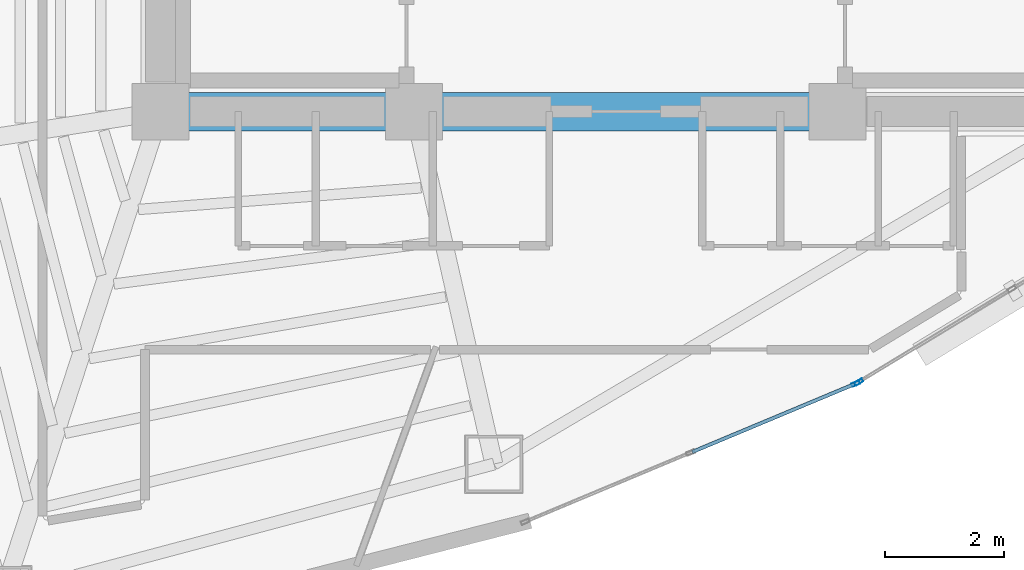
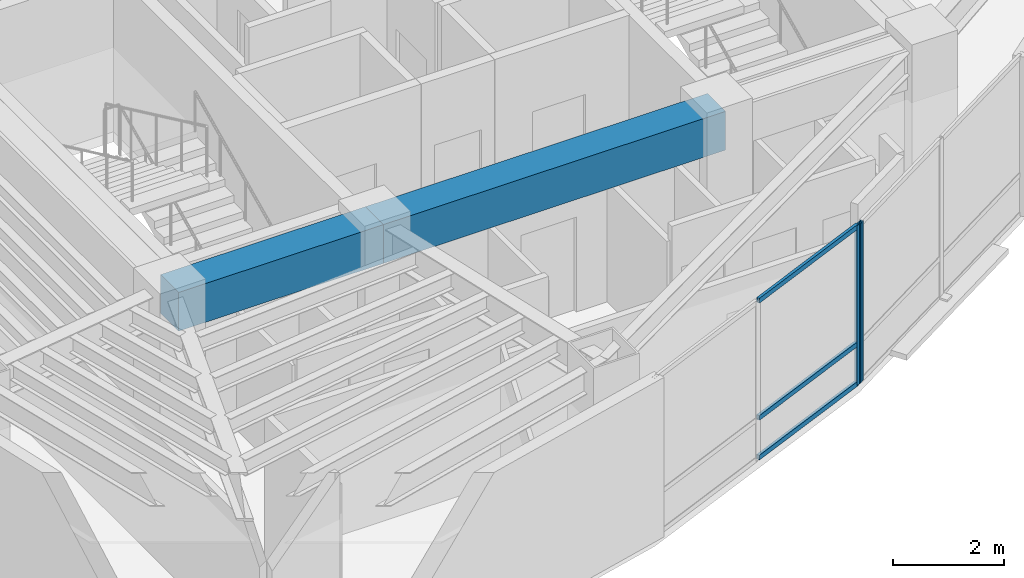
# One storey, part 4 of 15: 5 members, 2 beams, 2 elements without a shape of their own.
"""IFC4 building model written with IfcOpenShell, lengths in metres."""

from ifc_helpers import new_model, si_unit, direction, frame, origin, origin_2d, place, context, subcontext, project, spatial, rectangle, hollow_rectangle, extrude, material, layer, layer_set, material_profile, profile_set, type_object, element, aggregate, save


model = new_model("IFC4")

# Units and contexts
model_context = context("Model", 3, precision=1e-05, world=origin(), true_north=direction((0.0, 1.0)))
body_context = subcontext(model_context, "Body", "Model", "MODEL_VIEW")
ifc_project = project(units=[si_unit("LENGTHUNIT", "METRE"), si_unit("AREAUNIT", "SQUARE_METRE"), si_unit("VOLUMEUNIT", "CUBIC_METRE"), si_unit("PLANEANGLEUNIT", "RADIAN"), si_unit("MASSUNIT", "GRAM", prefix="KILO")], contexts=[model_context])

# Site, building, storey
site_placement = place(None, origin())
site = spatial("IfcSite", under=ifc_project, at=site_placement, CompositionType="ELEMENT")
building_placement = place(site_placement, origin())
building = spatial("IfcBuilding", under=site, at=building_placement, Name="Menara Vayukalpa", CompositionType="ELEMENT")
storey_placement = place(building_placement, frame((0.0, 0.0, 223.260009765625)))
storey = spatial("IfcBuildingStorey", under=building, at=storey_placement, Name="L56", CompositionType="ELEMENT", Elevation=223.260009765625)

# Beams
ifc_material_1 = material(Name="Concrete C60/75", Category="concrete")
ifc_material_profile_1 = material_profile(ifc_material_1, rectangle(XDim=0.64990234375, YDim=0.85009765625, at=origin_2d()), Name="RC 650x850")
ifc_profile_set_1 = profile_set([ifc_material_profile_1], Name="Concrete C60/75")
beam_type = type_object("IfcBeamType", Name="BM-CB1", PredefinedType="BEAM", material=ifc_profile_set_1)
beam_1_placement = place(storey_placement, frame((17.800048828125, 17.199951171875, 3.074951171875), z_axis=(1.0, 0.0, 0.0), x_axis=(0.0, 1.0, 0.0)))
element("IfcBeam", 1, at=beam_1_placement, inside=storey, type_object=beam_type, Name="L56 Core Tie Beam CBR1", PredefinedType="BEAM", context=body_context, shape_type="SweptSolid", body=[
    extrude(rectangle(XDim=0.64990234375, YDim=0.85009765625, at=origin_2d()), origin(), (0.0, 0.0, 1.0), 4.25),
])
beam_2_placement = place(storey_placement, frame((22.050048828125, 17.199951171875, 3.074951171875), z_axis=(1.0, 0.0, 0.0), x_axis=(0.0, 1.0, 0.0)))
element("IfcBeam", 2, at=beam_2_placement, inside=storey, type_object=beam_type, Name="L56 Core Tie Beam CBR2", PredefinedType="BEAM", context=body_context, shape_type="SweptSolid", body=[
    extrude(rectangle(XDim=0.64990234375, YDim=0.85009765625, at=origin_2d()), origin(), (0.0, 0.0, 1.0), 7.099853515625),
])

# Curtain wall, member
ifc_material_2 = material(Name="Anodised Terracotta Aluminium Alloy 6063-T6", Category="masonry")
ifc_layer = layer(ifc_material_2, 0.139892578125)
ifc_layer_set = layer_set([ifc_layer], Name="Anodised Terracotta Aluminium Alloy 6063-T6")
curtain_wall_type = type_object("IfcCurtainWallType", Name="CW-CW5", PredefinedType="USERDEFINED", material=ifc_layer_set)
curtain_wall_1_placement = place(storey_placement, origin())
curtain_wall_1 = element("IfcCurtainWall", 3, at=curtain_wall_1_placement, inside=storey, type_object=curtain_wall_type, Name="L56 High Rise Tapered Curtain Wall CW5 16", ObjectType="UNITISED", PredefinedType="USERDEFINED")
ifc_material_3 = material(Name="Anodised Terracotta Aluminium Alloy 6063-T6", Category="masonry")
ifc_material_profile_2 = material_profile(ifc_material_3, hollow_rectangle(XDim=0.06005859375, YDim=0.139892578125, WallThickness=0.00341796875, at=origin_2d()), Name="ALU 60x140x3.5")
ifc_profile_set_2 = profile_set([ifc_material_profile_2], Name="Anodised Terracotta Aluminium Alloy 6063-T6")
member_type_1 = type_object("IfcMemberType", Name="CWM-CW5", PredefinedType="MULLION", material=ifc_profile_set_2)
member_1_placement = place(storey_placement, frame((29.4560546875, 12.640380859375, 0.0), z_axis=(0.0, 0.0, 1.0), x_axis=(-0.385902834406, 0.922539431351, 0.0)))
member_1 = element("IfcMember", 4, at=member_1_placement, type_object=member_type_1, Name="CW5 mullion 3", PredefinedType="MULLION", context=body_context, shape_type="SweptSolid", body=[
    extrude(hollow_rectangle(XDim=0.06005859375, YDim=0.139892578125, WallThickness=0.00341796875, at=origin_2d()), origin(), (0.0, 0.0, 1.0), 3.5),
])

curtain_wall_2_placement = place(storey_placement, origin())
curtain_wall_2 = element("IfcCurtainWall", 5, at=curtain_wall_2_placement, inside=storey, type_object=curtain_wall_type, Name="L56 High Rise Tapered Curtain Wall CW5 17", ObjectType="UNITISED", PredefinedType="USERDEFINED")
member_2_placement = place(storey_placement, frame((29.509521484375, 12.66748046875, 0.0), z_axis=(0.0, 0.0, 1.0), x_axis=(-0.519179911779, 0.854664974832, 0.0)))
member_2 = element("IfcMember", 6, at=member_2_placement, type_object=member_type_1, Name="CW5 mullion 1", PredefinedType="MULLION", context=body_context, shape_type="SweptSolid", body=[
    extrude(hollow_rectangle(XDim=0.06005859375, YDim=0.139892578125, WallThickness=0.00341796875, at=origin_2d()), origin(), (0.0, 0.0, 1.0), 3.5),
])
aggregate(curtain_wall_2, [member_2])

# Member
ifc_material_4 = material(Name="Anodised Terracotta Aluminium Alloy 6063-T6", Category="masonry")
ifc_material_profile_3 = material_profile(ifc_material_4, hollow_rectangle(XDim=0.06005859375, YDim=0.10498046875, WallThickness=0.0029296875, at=origin_2d()), Name="ALU 60x105x3")
ifc_profile_set_3 = profile_set([ifc_material_profile_3], Name="Anodised Terracotta Aluminium Alloy 6063-T6")
member_type_2 = type_object("IfcMemberType", Name="CWT-CW5", PredefinedType="USERDEFINED", material=ifc_profile_set_3)
member_3_placement = place(storey_placement, frame((26.7138671875, 11.4931640625, 0.030029296875), z_axis=(0.922543360613, 0.385893440976, 0.0), x_axis=(-0.385893440976, 0.922543360613, 0.0)))
member_3 = element("IfcMember", 7, at=member_3_placement, type_object=member_type_2, Name="CW5 transom 2.1", ObjectType="TRANSOM", PredefinedType="USERDEFINED", context=body_context, shape_type="SweptSolid", body=[
    extrude(hollow_rectangle(XDim=0.06005859375, YDim=0.10498046875, WallThickness=0.0029296875, at=origin_2d()), origin(), (0.0, 0.0, 1.0), 2.942626953125),
])

member_4_placement = place(storey_placement, frame((26.7138671875, 11.4931640625, 0.89990234375), z_axis=(0.922543360613, 0.385893440976, 0.0), x_axis=(-0.385893440976, 0.922543360613, 0.0)))
member_4 = element("IfcMember", 8, at=member_4_placement, type_object=member_type_2, Name="CW5 transom 2.2", ObjectType="TRANSOM", PredefinedType="USERDEFINED", context=body_context, shape_type="SweptSolid", body=[
    extrude(hollow_rectangle(XDim=0.06005859375, YDim=0.10498046875, WallThickness=0.0029296875, at=origin_2d()), origin(), (0.0, 0.0, 1.0), 2.942626953125),
])

member_5_placement = place(storey_placement, frame((26.7138671875, 11.4931640625, 3.469970703125), z_axis=(0.922543360613, 0.385893440976, 0.0), x_axis=(-0.385893440976, 0.922543360613, 0.0)))
member_5 = element("IfcMember", 9, at=member_5_placement, type_object=member_type_2, Name="CW5 transom 2.3", ObjectType="TRANSOM", PredefinedType="USERDEFINED", context=body_context, shape_type="SweptSolid", body=[
    extrude(hollow_rectangle(XDim=0.06005859375, YDim=0.10498046875, WallThickness=0.0029296875, at=origin_2d()), origin(), (0.0, 0.0, 1.0), 2.942626953125),
])

aggregate(curtain_wall_1, [member_1, member_3, member_4, member_5])

save(model, "model.ifc")
